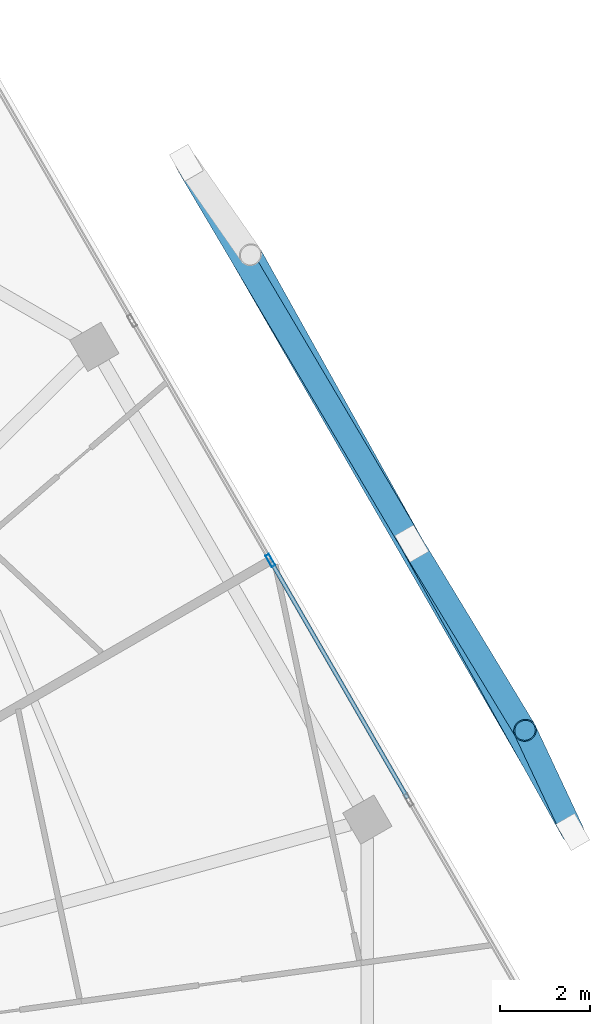
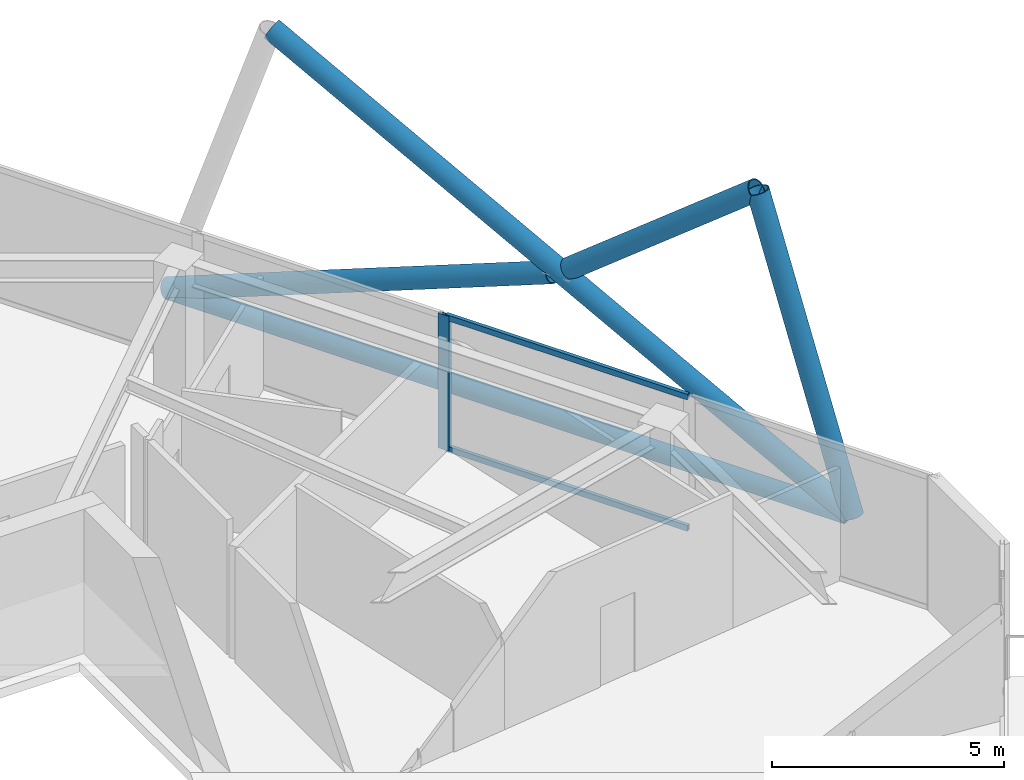
# One storey, part 13 of 23: 8 members, 1 element without a shape of its own.
"""IFC4 building model written with IfcOpenShell, lengths in metres."""

from ifc_helpers import new_model, si_unit, direction, frame, origin, origin_2d, place, context, subcontext, project, spatial, hollow_rectangle, hollow_circle, extrude, material, material_profile, profile_set, type_object, element, aggregate, save


model = new_model("IFC4")

# Units and contexts
model_context = context("Model", 3, precision=1e-05, world=origin(), true_north=direction((0.0, 1.0)))
body_context = subcontext(model_context, "Body", "Model", "MODEL_VIEW")
ifc_project = project(units=[si_unit("LENGTHUNIT", "METRE"), si_unit("AREAUNIT", "SQUARE_METRE"), si_unit("VOLUMEUNIT", "CUBIC_METRE"), si_unit("PLANEANGLEUNIT", "RADIAN"), si_unit("MASSUNIT", "GRAM", prefix="KILO")], contexts=[model_context])

# Site, building, storey
site_placement = place(None, origin())
site = spatial("IfcSite", under=ifc_project, at=site_placement, CompositionType="ELEMENT")
building_placement = place(site_placement, origin())
building = spatial("IfcBuilding", under=site, at=building_placement, Name="Zuhravey Tower", CompositionType="ELEMENT")
storey_placement = place(building_placement, frame((0.0, 0.0, 315.800048828125)))
storey = spatial("IfcBuildingStorey", under=building, at=storey_placement, Name="L80", CompositionType="ELEMENT", Elevation=315.800048828125)

# Curtain wall, members
ifc_material_1 = material(Name="Thermally broken anodised aluminium", Category="aluminium")
curtain_wall_type = type_object("IfcCurtainWallType", Name="Zone 3-4 High-Rise Curtain Wall CW4", PredefinedType="NOTDEFINED", material=ifc_material_1)
curtain_wall_placement = place(storey_placement, origin())
curtain_wall = element("IfcCurtainWall", 1, at=curtain_wall_placement, inside=storey, type_object=curtain_wall_type, Name="L80 CW4 CW-L80-F1-1", PredefinedType="NOTDEFINED")
ifc_material_2 = material(Name="Anodised aluminium", Category="aluminium")
ifc_material_profile_1 = material_profile(ifc_material_2, hollow_rectangle(XDim=0.090087890625, YDim=0.284912109375, WallThickness=0.0048828125, at=origin_2d()), Name="ALU-RHS-90x285x5")
ifc_profile_set_1 = profile_set([ifc_material_profile_1], Name="Anodised aluminium")
member_type_1 = type_object("IfcMemberType", Name="Curtain-Wall Mullion 90x180", PredefinedType="MULLION", material=ifc_profile_set_1)
member_1_placement = place(storey_placement, frame((56.8486328125, 44.037109375, 0.0), z_axis=(0.0, 0.0, 1.0), x_axis=(0.866025511541, 0.49999981336, 0.0)))
member_1 = element("IfcMember", 2, at=member_1_placement, type_object=member_type_1, Name="CW4 mullion 3", PredefinedType="MULLION", context=body_context, shape_type="SweptSolid", body=[
    extrude(hollow_rectangle(XDim=0.090087890625, YDim=0.284912109375, WallThickness=0.0048828125, at=origin_2d()), origin(), (0.0, 0.0, 1.0), 3.550048828125),
])
ifc_material_profile_2 = material_profile(ifc_material_2, hollow_rectangle(XDim=0.090087890625, YDim=0.14990234375, WallThickness=0.0048828125, at=origin_2d()), Name="ALU-RHS-90x150x5")
ifc_profile_set_2 = profile_set([ifc_material_profile_2], Name="Anodised aluminium")
member_type_2 = type_object("IfcMemberType", Name="Curtain-Wall Transom 90x150", PredefinedType="USERDEFINED", material=ifc_profile_set_2)
member_2_placement = place(storey_placement, frame((56.871337890625, 43.998046875, 0.044921875), z_axis=(0.499988837749, -0.866031848217, 0.0), x_axis=(0.866031848217, 0.499988837749, 0.0)))
member_2 = element("IfcMember", 3, at=member_2_placement, type_object=member_type_2, Name="CW4 transom 3.1", ObjectType="TRANSOM", PredefinedType="USERDEFINED", context=body_context, shape_type="SweptSolid", body=[
    extrude(hollow_rectangle(XDim=0.090087890625, YDim=0.14990234375, WallThickness=0.0048828125, at=origin_2d()), origin(), (0.0, 0.0, 1.0), 6.029541015625),
])
member_3_placement = place(storey_placement, frame((56.871337890625, 43.998046875, 3.5048828125), z_axis=(0.499988837749, -0.866031848217, 0.0), x_axis=(0.866031848217, 0.499988837749, 0.0)))
member_3 = element("IfcMember", 4, at=member_3_placement, type_object=member_type_2, Name="CW4 transom 3.2", ObjectType="TRANSOM", PredefinedType="USERDEFINED", context=body_context, shape_type="SweptSolid", body=[
    extrude(hollow_rectangle(XDim=0.090087890625, YDim=0.14990234375, WallThickness=0.0048828125, at=origin_2d()), origin(), (0.0, 0.0, 1.0), 6.029541015625),
])
aggregate(curtain_wall, [member_1, member_2, member_3])

# Members
ifc_material_3 = material(Name="Steel SM355", Category="steel")
ifc_material_profile_3 = material_profile(ifc_material_3, hollow_circle(Radius=0.228515625, WallThickness=0.02197265625, at=origin_2d()), Name="CHS-457.2x22")
ifc_profile_set_3 = profile_set([ifc_material_profile_3], Name="Steel SM355")
member_type_3 = type_object("IfcMemberType", Name="Exoskeleton Ring Tie CHS457x22", PredefinedType="CHORD", material=ifc_profile_set_3)
member_4_placement = place(storey_placement, frame((63.4697265625, 38.149169921875, -0.464111328125), z_axis=(-0.499996794797, 0.866027254301, 0.0), x_axis=(-0.866027254301, -0.499996794797, 0.0)))
element("IfcMember", 5, at=member_4_placement, inside=storey, type_object=member_type_3, Name="L80 Exoskeleton Face 1 Tie EXR1", PredefinedType="CHORD", context=body_context, shape_type="SweptSolid", body=[
    extrude(hollow_circle(Radius=0.228515625, WallThickness=0.02197265625, at=origin_2d()), origin(), (0.0, 0.0, 1.0), 16.81884765625),
])
ifc_material_profile_4 = material_profile(ifc_material_3, hollow_circle(Radius=0.25390625, WallThickness=0.02490234375, at=origin_2d()), Name="CHS-508.0x25")
ifc_profile_set_4 = profile_set([ifc_material_profile_4], Name="Steel SM355")
member_type_4 = type_object("IfcMemberType", Name="Exoskeleton Zone 4 Diagrid CHS508x25", PredefinedType="BRACE", material=ifc_profile_set_4)
member_5_placement = place(storey_placement, frame((63.537353515625, 38.03271484375, -0.447998046875), z_axis=(-0.132431574239, 0.281907582569, 0.950257856076), x_axis=(-0.90510401106, -0.425190227031, 0.0)))
element("IfcMember", 6, at=member_5_placement, inside=storey, type_object=member_type_4, Name="L80 Face 1 Diagrid Brace 1", PredefinedType="BRACE", context=body_context, shape_type="SweptSolid", body=[
    extrude(hollow_circle(Radius=0.25390625, WallThickness=0.02490234375, at=origin_2d()), origin(), (0.0, 0.0, 1.0), 7.964111328125),
])
member_6_placement = place(storey_placement, frame((63.524658203125, 38.054931640625, -0.447998046875), z_axis=(-0.432553579907, 0.774676854837, 0.461273423351), x_axis=(-0.873113367503, -0.487517227887, 0.0)))
element("IfcMember", 7, at=member_6_placement, inside=storey, type_object=member_type_4, Name="L80 Face 1 Diagrid Brace 2", PredefinedType="BRACE", context=body_context, shape_type="SweptSolid", body=[
    extrude(hollow_circle(Radius=0.25390625, WallThickness=0.02490234375, at=origin_2d()), origin(), (0.0, 0.0, 1.0), 16.406494140625),
])
member_7_placement = place(storey_placement, frame((55.006591796875, 52.808349609375, -0.451416015625), z_axis=(0.474763720261, -0.802312958306, 0.361791828069), x_axis=(0.86061173638, 0.509261660844, 0.0)))
element("IfcMember", 8, at=member_7_placement, inside=storey, type_object=member_type_4, Name="L80 Face 1 Split Diagrid Brace 3A", PredefinedType="BRACE", context=body_context, shape_type="SweptSolid", body=[
    extrude(hollow_circle(Radius=0.25390625, WallThickness=0.02490234375, at=origin_2d()), origin(), (0.0, 0.0, 1.0), 10.22412109375),
])
member_8_placement = place(storey_placement, frame((60.075927734375, 44.245849609375, 3.48681640625), z_axis=(0.407573370331, -0.671782152017, 0.618540773133), x_axis=(0.8549536623, 0.518704381434, 0.0)))
element("IfcMember", 9, at=member_8_placement, inside=storey, type_object=member_type_4, Name="L80 Face 1 Split Diagrid Brace 3B", PredefinedType="BRACE", context=body_context, shape_type="SweptSolid", body=[
    extrude(hollow_circle(Radius=0.25390625, WallThickness=0.02490234375, at=origin_2d()), origin(), (0.0, 0.0, 1.0), 5.864990234375),
])

save(model, "model.ifc")
